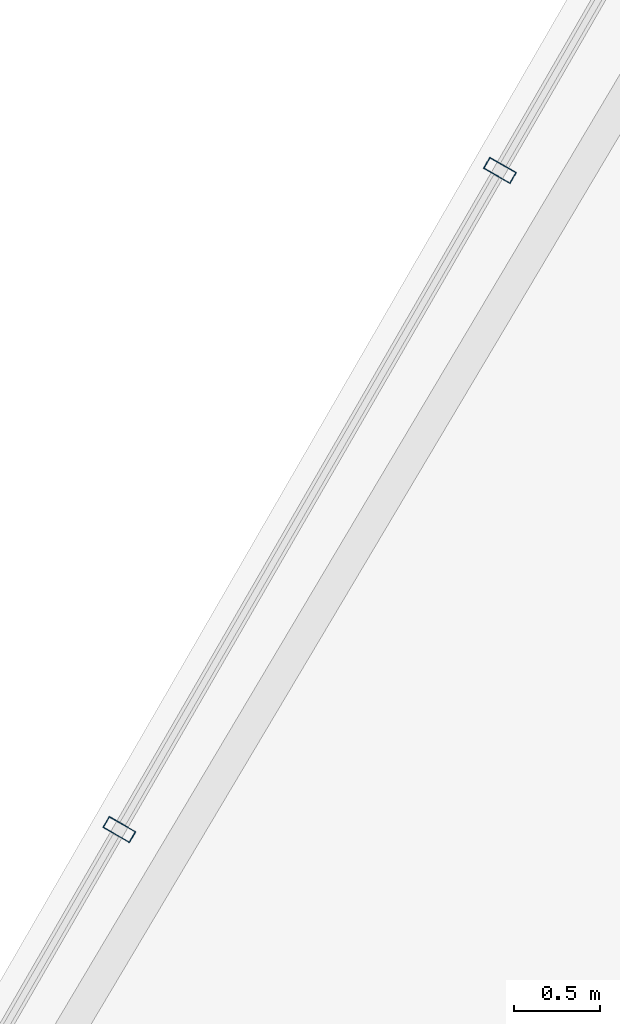
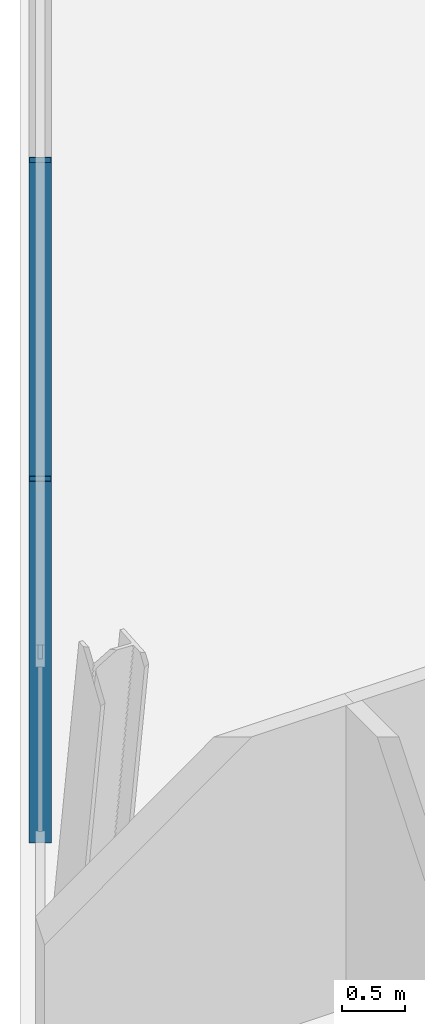
# One storey, part 15 of 35: 2 members, 1 element without a shape of its own.
"""IFC4 building model written with IfcOpenShell, lengths in metres."""

from ifc_helpers import new_model, si_unit, direction, frame, origin, origin_2d, place, context, subcontext, project, spatial, hollow_rectangle, extrude, material, layer, layer_set, material_profile, profile_set, type_object, element, aggregate, save


model = new_model("IFC4")

# Units and contexts
model_context = context("Model", 3, precision=1e-05, world=origin(), true_north=direction((0.0, 1.0)))
body_context = subcontext(model_context, "Body", "Model", "MODEL_VIEW")
ifc_project = project(units=[si_unit("LENGTHUNIT", "METRE"), si_unit("AREAUNIT", "SQUARE_METRE"), si_unit("VOLUMEUNIT", "CUBIC_METRE"), si_unit("PLANEANGLEUNIT", "RADIAN"), si_unit("MASSUNIT", "GRAM", prefix="KILO")], contexts=[model_context])

# Site, building, storey
site_placement = place(None, origin())
site = spatial("IfcSite", under=ifc_project, at=site_placement, CompositionType="ELEMENT")
building_placement = place(site_placement, origin())
building = spatial("IfcBuilding", under=site, at=building_placement, Name="Ndaravel Arena Tower", CompositionType="ELEMENT")
storey_placement = place(building_placement, frame((0.0, 0.0, 275.0)))
storey = spatial("IfcBuildingStorey", under=building, at=storey_placement, Name="L67", CompositionType="ELEMENT", Elevation=275.0)

# Curtain wall, members
ifc_material_1 = material(Name="Aluminium", Category="aluminium")
ifc_layer = layer(ifc_material_1, 0.179931640625)
ifc_layer_set = layer_set([ifc_layer], Name="Aluminium")
curtain_wall_type = type_object("IfcCurtainWallType", Name="CW-SYS-03", PredefinedType="NOTDEFINED", material=ifc_layer_set)
curtain_wall_placement = place(storey_placement, origin())
curtain_wall = element("IfcCurtainWall", 1, at=curtain_wall_placement, inside=storey, type_object=curtain_wall_type, Name="L67 Faceted Crystal Curtain Wall CW-L67-E05", PredefinedType="NOTDEFINED")
ifc_material_2 = material(Name="Aluminium", Category="aluminium")
ifc_material_profile = material_profile(ifc_material_2, hollow_rectangle(XDim=0.074951171875, YDim=0.179931640625, WallThickness=0.00390625, at=origin_2d()), Name="CW MULLION 75x180x4")
ifc_profile_set = profile_set([ifc_material_profile], Name="Aluminium")
member_type = type_object("IfcMemberType", Name="MEM-CW-MUL180", PredefinedType="MULLION", material=ifc_profile_set)
member_1_placement = place(storey_placement, frame((32.80224609375, 32.614501953125, 0.0), z_axis=(0.0, 0.0, 1.0), x_axis=(-0.5, -0.866025403784, 0.0)))
member_1 = element("IfcMember", 2, at=member_1_placement, type_object=member_type, Name="CW-L67-E05 Mullion 03", PredefinedType="MULLION", context=body_context, shape_type="SweptSolid", body=[
    extrude(hollow_rectangle(XDim=0.074951171875, YDim=0.179931640625, WallThickness=0.00390625, at=origin_2d()), origin(), (0.0, 0.0, 1.0), 3.52001953125),
])
member_2_placement = place(storey_placement, frame((30.58447265625, 28.7734375, 0.0), z_axis=(0.0, 0.0, 1.0), x_axis=(-0.5, -0.866025403784, 0.0)))
member_2 = element("IfcMember", 3, at=member_2_placement, type_object=member_type, Name="CW-L67-E05 Mullion 04", PredefinedType="MULLION", context=body_context, shape_type="SweptSolid", body=[
    extrude(hollow_rectangle(XDim=0.074951171875, YDim=0.179931640625, WallThickness=0.00390625, at=origin_2d()), origin(), (0.0, 0.0, 1.0), 3.52001953125),
])
aggregate(curtain_wall, [member_1, member_2])

save(model, "model.ifc")
